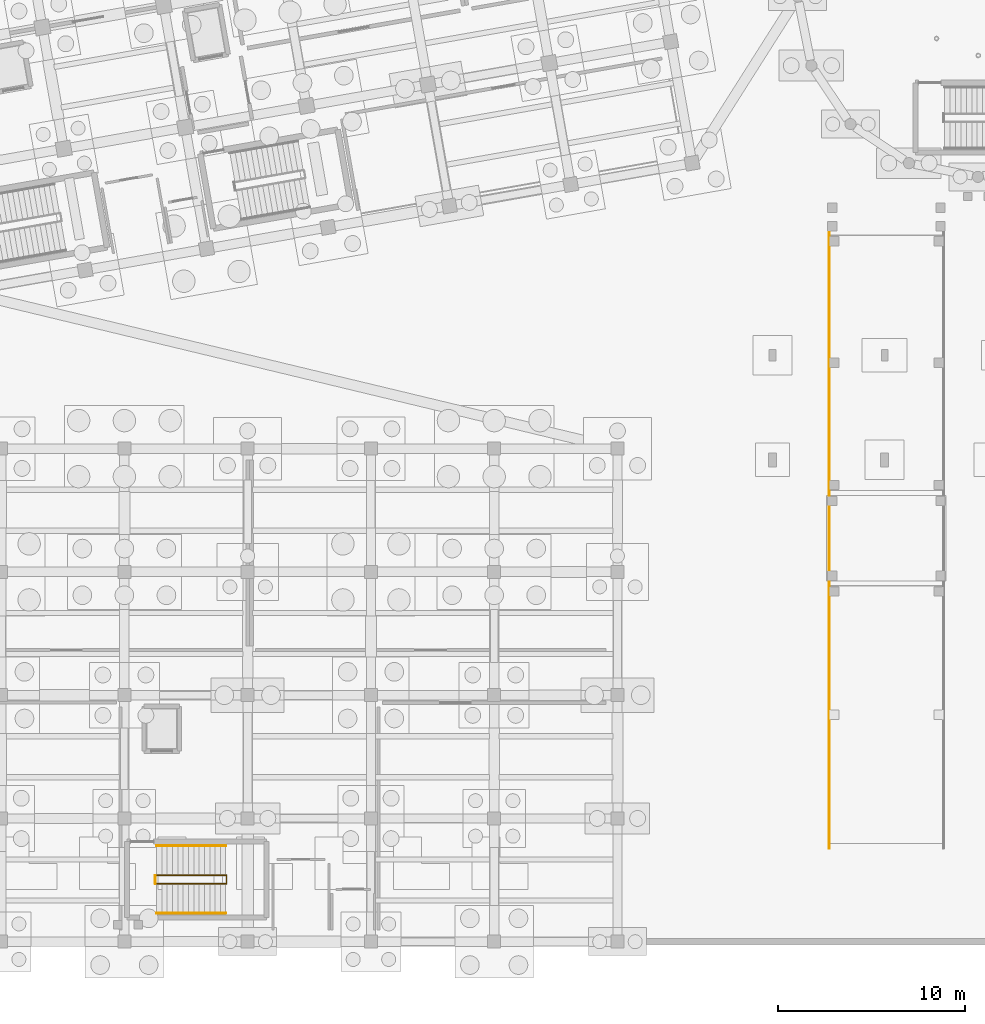
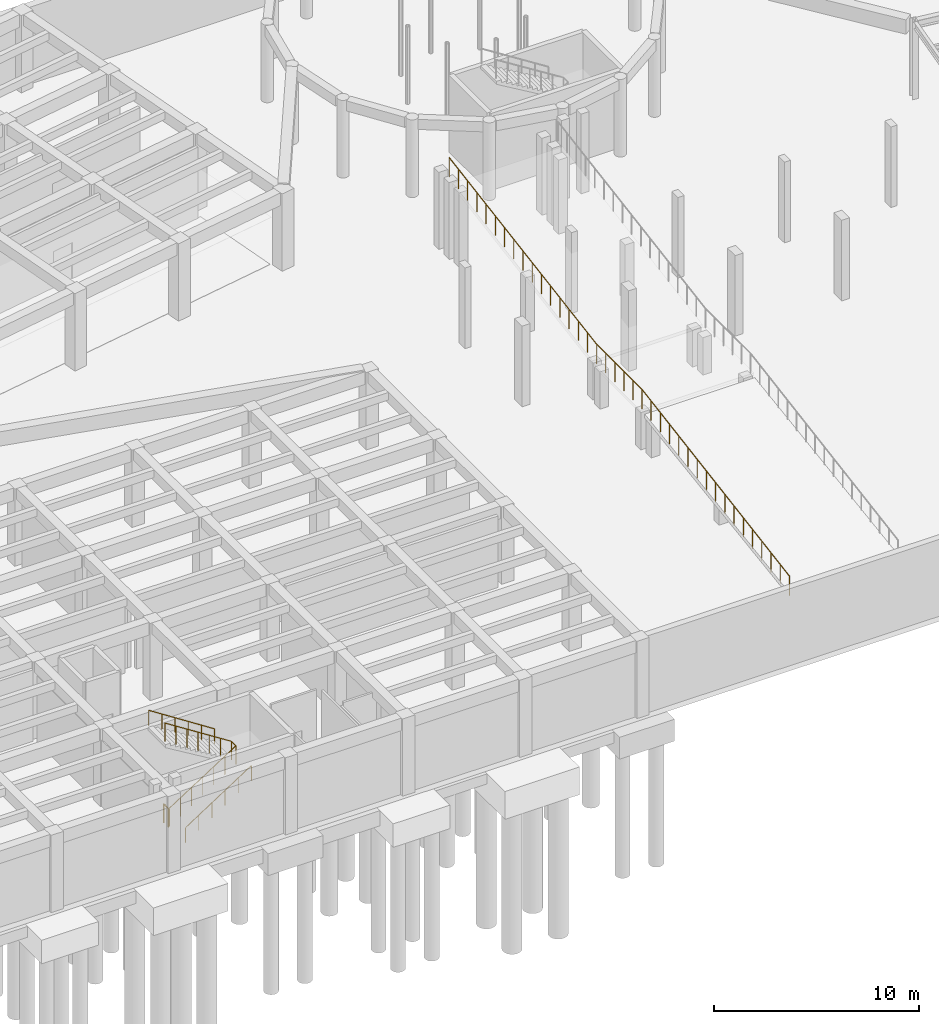
# One storey, part 29 of 34: 5 railings.
"""IFC4 building model written with IfcOpenShell, lengths in metres."""

from ifc_helpers import new_model, si_unit, direction, frame, origin, origin_2d, place, context, subcontext, project, spatial, circle, extrude, material, type_object, element, save


model = new_model("IFC4")

# Units and contexts
model_context = context("Model", 3, precision=1e-05, world=origin(), true_north=direction((0.0, 1.0)))
body_context = subcontext(model_context, "Body", "Model", "MODEL_VIEW")
ifc_project = project(units=[si_unit("LENGTHUNIT", "METRE"), si_unit("AREAUNIT", "SQUARE_METRE"), si_unit("VOLUMEUNIT", "CUBIC_METRE"), si_unit("PLANEANGLEUNIT", "RADIAN"), si_unit("MASSUNIT", "GRAM", prefix="KILO")], contexts=[model_context])

# Site, building, storey
site_placement = place(None, origin())
site = spatial("IfcSite", under=ifc_project, at=site_placement, CompositionType="ELEMENT")
building_placement = place(site_placement, origin())
building = spatial("IfcBuilding", under=site, at=building_placement, Name="Kharisveld Research Institute", CompositionType="ELEMENT")
storey_placement = place(building_placement, frame((0.0, 0.0, -4.800048828125)))
storey = spatial("IfcBuildingStorey", under=building, at=storey_placement, Name="B1", CompositionType="ELEMENT", Elevation=-4.800048828125)

# Railings
ifc_material_1 = material(Name="Steel S355JR", Category="steel")
railing_type_1 = type_object("IfcRailingType", Name="RL_GRD_STR", PredefinedType="GUARDRAIL", material=ifc_material_1)
railing_1_placement = place(storey_placement, frame((51.5400390625, 5.199951171875, 0.0)))
element("IfcRailing", 1, at=railing_1_placement, inside=storey, type_object=railing_type_1, Name="RLG:B1:CAR_RAMP_LOW_W", PredefinedType="GUARDRAIL", context=body_context, shape_type="SweptSolid", body=[
    extrude(circle(Radius=0.02392578125, at=origin_2d()), frame((0.0, 0.0, 1.15576171875), z_axis=(0.0, 0.986392567852, 0.164407122977), x_axis=(-1.0, 0.0, 0.0)), (0.0, 0.0, 1.0), 14.598876953125),
    extrude(circle(Radius=0.02392578125, at=origin_2d()), frame((0.0, 14.400146484375, 3.55615234375), z_axis=(0.0, 1.0, 0.0), x_axis=(-1.0, 0.0, 0.0)), (0.0, 0.0, 1.0), 4.39990234375),
    extrude(circle(Radius=0.02392578125, at=origin_2d()), frame((0.0, 18.800048828125, 3.55615234375), z_axis=(0.0, 0.986394827799, 0.164393563414), x_axis=(-1.0, 0.0, 0.0)), (0.0, 0.0, 1.0), 14.5986328125),
    extrude(circle(Radius=0.02099609375, at=origin_2d()), origin(), (0.0, 0.0, 1.0), 1.1318359375),
    extrude(circle(Radius=0.02099609375, at=origin_2d()), frame((0.0, 0.89990234375, 0.14990234375)), (0.0, 0.0, 1.0), 1.1318359375),
    extrude(circle(Radius=0.02099609375, at=origin_2d()), frame((0.0, 1.800048828125, 0.300048828125)), (0.0, 0.0, 1.0), 1.1318359375),
    extrude(circle(Radius=0.02099609375, at=origin_2d()), frame((0.0, 2.699951171875, 0.449951171875)), (0.0, 0.0, 1.0), 1.1318359375),
    extrude(circle(Radius=0.02099609375, at=origin_2d()), frame((0.0, 3.60009765625, 0.60009765625)), (0.0, 0.0, 1.0), 1.1318359375),
    extrude(circle(Radius=0.02099609375, at=origin_2d()), frame((0.0, 4.5, 0.75)), (0.0, 0.0, 1.0), 1.1318359375),
    extrude(circle(Radius=0.02099609375, at=origin_2d()), frame((0.0, 5.400146484375, 0.900146484375)), (0.0, 0.0, 1.0), 1.1318359375),
    extrude(circle(Radius=0.02099609375, at=origin_2d()), frame((0.0, 6.300048828125, 1.050048828125)), (0.0, 0.0, 1.0), 1.1318359375),
    extrude(circle(Radius=0.02099609375, at=origin_2d()), frame((0.0, 7.2001953125, 1.2001953125)), (0.0, 0.0, 1.0), 1.1318359375),
    extrude(circle(Radius=0.02099609375, at=origin_2d()), frame((0.0, 8.10009765625, 1.35009765625)), (0.0, 0.0, 1.0), 1.1318359375),
    extrude(circle(Radius=0.02099609375, at=origin_2d()), frame((0.0, 9.0, 1.5)), (0.0, 0.0, 1.0), 1.1318359375),
    extrude(circle(Radius=0.02099609375, at=origin_2d()), frame((0.0, 9.900146484375, 1.650146484375)), (0.0, 0.0, 1.0), 1.1318359375),
    extrude(circle(Radius=0.02099609375, at=origin_2d()), frame((0.0, 10.800048828125, 1.800048828125)), (0.0, 0.0, 1.0), 1.1318359375),
    extrude(circle(Radius=0.02099609375, at=origin_2d()), frame((0.0, 11.7001953125, 1.9501953125)), (0.0, 0.0, 1.0), 1.1318359375),
    extrude(circle(Radius=0.02099609375, at=origin_2d()), frame((0.0, 12.60009765625, 2.10009765625)), (0.0, 0.0, 1.0), 1.1318359375),
    extrude(circle(Radius=0.02099609375, at=origin_2d()), frame((0.0, 13.500244140625, 2.250244140625)), (0.0, 0.0, 1.0), 1.1318359375),
    extrude(circle(Radius=0.02099609375, at=origin_2d()), frame((0.0, 14.400146484375, 2.400146484375)), (0.0, 0.0, 1.0), 1.1318359375),
    extrude(circle(Radius=0.02099609375, at=origin_2d()), frame((0.0, 15.280029296875, 2.400146484375)), (0.0, 0.0, 1.0), 1.1318359375),
    extrude(circle(Radius=0.02099609375, at=origin_2d()), frame((0.0, 16.16015625, 2.400146484375)), (0.0, 0.0, 1.0), 1.1318359375),
    extrude(circle(Radius=0.02099609375, at=origin_2d()), frame((0.0, 17.0400390625, 2.400146484375)), (0.0, 0.0, 1.0), 1.1318359375),
    extrude(circle(Radius=0.02099609375, at=origin_2d()), frame((0.0, 17.920166015625, 2.400146484375)), (0.0, 0.0, 1.0), 1.1318359375),
    extrude(circle(Radius=0.02099609375, at=origin_2d()), frame((0.0, 18.800048828125, 2.400146484375)), (0.0, 0.0, 1.0), 1.1318359375),
    extrude(circle(Radius=0.02099609375, at=origin_2d()), frame((0.0, 19.699951171875, 2.550048828125)), (0.0, 0.0, 1.0), 1.1318359375),
    extrude(circle(Radius=0.02099609375, at=origin_2d()), frame((0.0, 20.60009765625, 2.7001953125)), (0.0, 0.0, 1.0), 1.1318359375),
    extrude(circle(Radius=0.02099609375, at=origin_2d()), frame((0.0, 21.5, 2.85009765625)), (0.0, 0.0, 1.0), 1.1318359375),
    extrude(circle(Radius=0.02099609375, at=origin_2d()), frame((0.0, 22.39990234375, 3.0)), (0.0, 0.0, 1.0), 1.1318359375),
    extrude(circle(Radius=0.02099609375, at=origin_2d()), frame((0.0, 23.300048828125, 3.150146484375)), (0.0, 0.0, 1.0), 1.1318359375),
    extrude(circle(Radius=0.02099609375, at=origin_2d()), frame((0.0, 24.199951171875, 3.300048828125)), (0.0, 0.0, 1.0), 1.1318359375),
    extrude(circle(Radius=0.02099609375, at=origin_2d()), frame((0.0, 25.10009765625, 3.4501953125)), (0.0, 0.0, 1.0), 1.1318359375),
    extrude(circle(Radius=0.02099609375, at=origin_2d()), frame((0.0, 26.0, 3.60009765625)), (0.0, 0.0, 1.0), 1.1318359375),
    extrude(circle(Radius=0.02099609375, at=origin_2d()), frame((0.0, 26.89990234375, 3.75)), (0.0, 0.0, 1.0), 1.1318359375),
    extrude(circle(Radius=0.02099609375, at=origin_2d()), frame((0.0, 27.800048828125, 3.900146484375)), (0.0, 0.0, 1.0), 1.1318359375),
    extrude(circle(Radius=0.02099609375, at=origin_2d()), frame((0.0, 28.699951171875, 4.050048828125)), (0.0, 0.0, 1.0), 1.1318359375),
    extrude(circle(Radius=0.02099609375, at=origin_2d()), frame((0.0, 29.60009765625, 4.2001953125)), (0.0, 0.0, 1.0), 1.1318359375),
    extrude(circle(Radius=0.02099609375, at=origin_2d()), frame((0.0, 30.5, 4.35009765625)), (0.0, 0.0, 1.0), 1.1318359375),
    extrude(circle(Radius=0.02099609375, at=origin_2d()), frame((0.0, 31.39990234375, 4.5)), (0.0, 0.0, 1.0), 1.1318359375),
    extrude(circle(Radius=0.02099609375, at=origin_2d()), frame((0.0, 32.300048828125, 4.650146484375)), (0.0, 0.0, 1.0), 1.1318359375),
    extrude(circle(Radius=0.02099609375, at=origin_2d()), frame((0.0, 33.199951171875, 4.800048828125)), (0.0, 0.0, 1.0), 1.1318359375),
])
railing_2_placement = place(storey_placement, frame((15.52001953125, 3.31005859375, 0.0)))
element("IfcRailing", 2, at=railing_2_placement, inside=storey, type_object=railing_type_1, Name="RLG:ST4:B1:GRD_SLOT", PredefinedType="GUARDRAIL", context=body_context, shape_type="SweptSolid", body=[
    extrude(circle(Radius=0.02392578125, at=origin_2d()), frame((0.0, 0.0, 1.09619140625), z_axis=(0.841921337968, 0.0, 0.539600278608), x_axis=(0.0, 1.0, 0.0)), (0.0, 0.0, 1.0), 4.447998046875),
    extrude(circle(Radius=0.02392578125, at=origin_2d()), frame((3.744873046875, 0.0, 3.49609375), z_axis=(0.0, 1.0, 0.0), x_axis=(-1.0, 0.0, 0.0)), (0.0, 0.0, 1.0), 0.43994140625),
    extrude(circle(Radius=0.02392578125, at=origin_2d()), frame((3.744873046875, 0.43994140625, 3.49609375), z_axis=(-0.841946273312, 0.0, 0.539561370797), x_axis=(0.0, -1.0, 0.0)), (0.0, 0.0, 1.0), 4.447998046875),
    extrude(circle(Radius=0.02099609375, at=origin_2d()), origin(), (0.0, 0.0, 1.0), 1.072021484375),
    extrude(circle(Radius=0.02099609375, at=origin_2d()), frame((0.6240234375, 0.0, 0.39990234375)), (0.0, 0.0, 1.0), 1.072021484375),
    extrude(circle(Radius=0.02099609375, at=origin_2d()), frame((1.248291015625, 0.0, 0.800048828125)), (0.0, 0.0, 1.0), 1.072021484375),
    extrude(circle(Radius=0.02099609375, at=origin_2d()), frame((1.87255859375, 0.0, 1.2001953125)), (0.0, 0.0, 1.0), 1.072021484375),
    extrude(circle(Radius=0.02099609375, at=origin_2d()), frame((2.49658203125, 0.0, 1.60009765625)), (0.0, 0.0, 1.0), 1.072021484375),
    extrude(circle(Radius=0.02099609375, at=origin_2d()), frame((3.12060546875, 0.0, 2.0)), (0.0, 0.0, 1.0), 1.072021484375),
    extrude(circle(Radius=0.02099609375, at=origin_2d()), frame((3.744873046875, 0.0, 2.400146484375)), (0.0, 0.0, 1.0), 1.072021484375),
    extrude(circle(Radius=0.02099609375, at=origin_2d()), frame((3.744873046875, 0.43994140625, 2.400146484375)), (0.0, 0.0, 1.0), 1.072021484375),
    extrude(circle(Radius=0.02099609375, at=origin_2d()), frame((3.12060546875, 0.43994140625, 2.800048828125)), (0.0, 0.0, 1.0), 1.072021484375),
    extrude(circle(Radius=0.02099609375, at=origin_2d()), frame((2.49658203125, 0.43994140625, 3.2001953125)), (0.0, 0.0, 1.0), 1.072021484375),
    extrude(circle(Radius=0.02099609375, at=origin_2d()), frame((1.87255859375, 0.43994140625, 3.60009765625)), (0.0, 0.0, 1.0), 1.072021484375),
    extrude(circle(Radius=0.02099609375, at=origin_2d()), frame((1.248291015625, 0.43994140625, 4.0)), (0.0, 0.0, 1.0), 1.072021484375),
    extrude(circle(Radius=0.02099609375, at=origin_2d()), frame((0.6240234375, 0.43994140625, 4.400146484375)), (0.0, 0.0, 1.0), 1.072021484375),
    extrude(circle(Radius=0.02099609375, at=origin_2d()), frame((0.0, 0.43994140625, 4.800048828125)), (0.0, 0.0, 1.0), 1.072021484375),
])
railing_3_placement = place(storey_placement, frame((15.4599609375, 3.31005859375, 0.0)))
element("IfcRailing", 3, at=railing_3_placement, inside=storey, type_object=railing_type_1, Name="RLG:ST4:B1:GRD_FLRSLOT", PredefinedType="GUARDRAIL", context=body_context, shape_type="SweptSolid", body=[
    extrude(circle(Radius=0.02392578125, at=origin_2d()), frame((0.0, 0.0, 1.09619140625), z_axis=(0.0, 1.0, 0.0), x_axis=(-1.0, 0.0, 0.0)), (0.0, 0.0, 1.0), 0.43994140625),
    extrude(circle(Radius=0.02099609375, at=origin_2d()), origin(), (0.0, 0.0, 1.0), 1.072021484375),
    extrude(circle(Radius=0.02099609375, at=origin_2d()), frame((0.0, 0.43994140625, 0.0)), (0.0, 0.0, 1.0), 1.072021484375),
])
ifc_material_2 = material(Name="Stainless Steel 316", Category="steel")
railing_type_2 = type_object("IfcRailingType", Name="RL_HND_STR", PredefinedType="HANDRAIL", material=ifc_material_2)
railing_4_placement = place(storey_placement, frame((15.52001953125, 1.72998046875, 0.0)))
element("IfcRailing", 4, at=railing_4_placement, inside=storey, type_object=railing_type_2, Name="RLG:ST4:B1:HR1", PredefinedType="HANDRAIL", context=body_context, shape_type="SweptSolid", body=[
    extrude(circle(Radius=0.02392578125, at=origin_2d()), frame((0.0, 0.0, 0.89599609375), z_axis=(0.83928664595, 0.0, 0.543689181361), x_axis=(0.0, 1.0, 0.0)), (0.0, 0.0, 1.0), 4.41455078125),
    extrude(circle(Radius=0.02099609375, at=origin_2d()), origin(), (0.0, 0.0, 1.0), 0.871826171875),
    extrude(circle(Radius=0.02099609375, at=origin_2d()), frame((0.740966796875, 0.0, 0.47998046875)), (0.0, 0.0, 1.0), 0.871826171875),
    extrude(circle(Radius=0.02099609375, at=origin_2d()), frame((1.48193359375, 0.0, 0.9599609375)), (0.0, 0.0, 1.0), 0.871826171875),
    extrude(circle(Radius=0.02099609375, at=origin_2d()), frame((2.22314453125, 0.0, 1.440185546875)), (0.0, 0.0, 1.0), 0.871826171875),
    extrude(circle(Radius=0.02099609375, at=origin_2d()), frame((2.964111328125, 0.0, 1.920166015625)), (0.0, 0.0, 1.0), 0.871826171875),
    extrude(circle(Radius=0.02099609375, at=origin_2d()), frame((3.705078125, 0.0, 2.400146484375)), (0.0, 0.0, 1.0), 0.871826171875),
])
railing_5_placement = place(storey_placement, frame((19.22509765625, 5.330078125, 2.400146484375)))
element("IfcRailing", 5, at=railing_5_placement, inside=storey, type_object=railing_type_2, Name="RLG:ST4:B1:HR2", PredefinedType="HANDRAIL", context=body_context, shape_type="SweptSolid", body=[
    extrude(circle(Radius=0.02392578125, at=origin_2d()), frame((0.0, 0.0, 0.89599609375), z_axis=(-0.839311881426, 0.0, 0.54365022367), x_axis=(0.0, -1.0, 0.0)), (0.0, 0.0, 1.0), 4.414306640625),
    extrude(circle(Radius=0.02099609375, at=origin_2d()), origin(), (0.0, 0.0, 1.0), 0.871826171875),
    extrude(circle(Radius=0.02099609375, at=origin_2d()), frame((-0.740966796875, 0.0, 0.47998046875)), (0.0, 0.0, 1.0), 0.871826171875),
    extrude(circle(Radius=0.02099609375, at=origin_2d()), frame((-1.48193359375, 0.0, 0.9599609375)), (0.0, 0.0, 1.0), 0.871826171875),
    extrude(circle(Radius=0.02099609375, at=origin_2d()), frame((-2.22314453125, 0.0, 1.43994140625)), (0.0, 0.0, 1.0), 0.871826171875),
    extrude(circle(Radius=0.02099609375, at=origin_2d()), frame((-2.964111328125, 0.0, 1.919921875)), (0.0, 0.0, 1.0), 0.871826171875),
    extrude(circle(Radius=0.02099609375, at=origin_2d()), frame((-3.705078125, 0.0, 2.39990234375)), (0.0, 0.0, 1.0), 0.871826171875),
])

save(model, "model.ifc")
